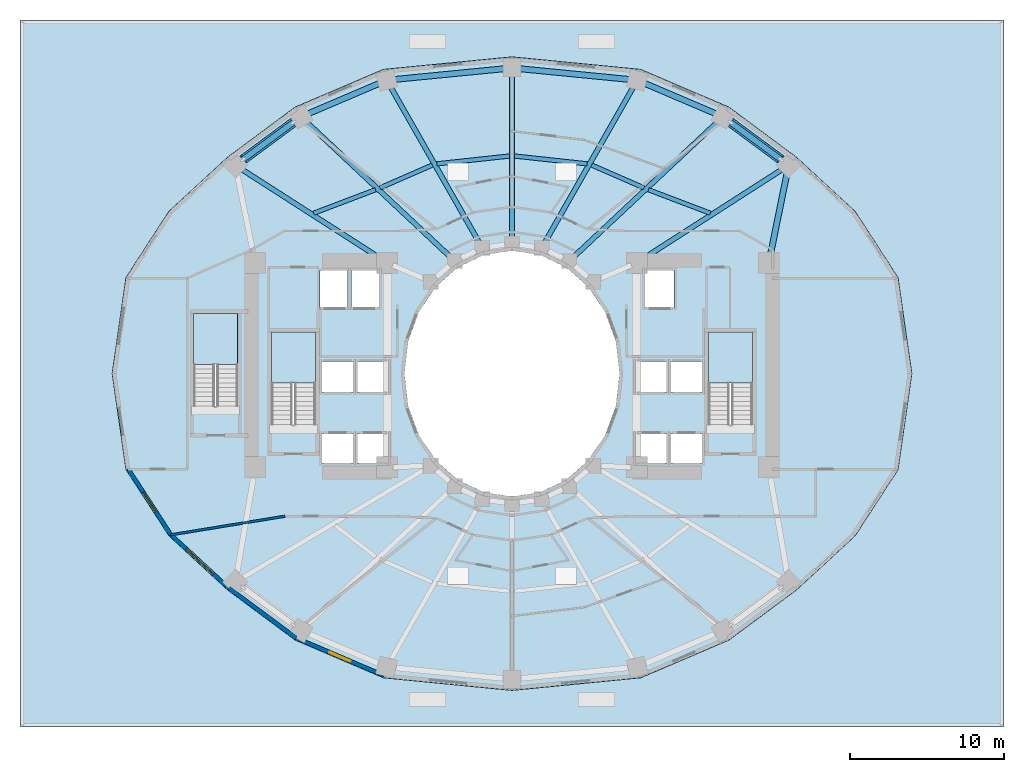
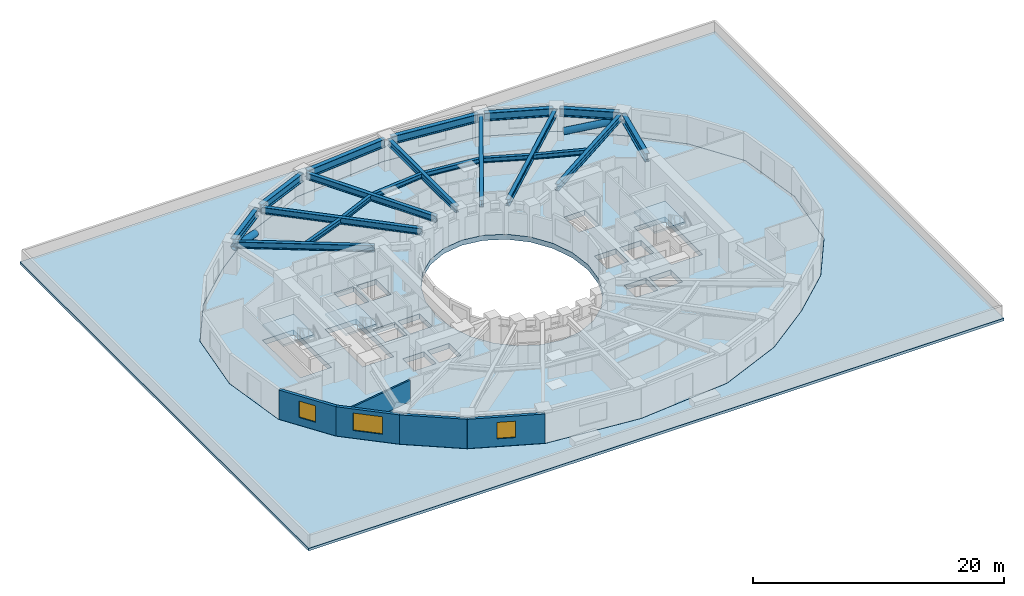
# One storey, part 2 of 10: 20 beams, 5 slabs, 5 walls, 3 windows, 2 members, 3 openings, 3 elements without a shape of their own.
"""IFC4 building model written with IfcOpenShell, lengths in metres."""

from ifc_helpers import new_model, si_unit, direction, frame, frame_2d, origin, origin_2d, place, context, subcontext, project, spatial, polyline, rectangle, hollow_circle, i_section, outline, extrude, material, layer, layer_set, material_profile, profile_set, type_object, element, fill, aggregate, save


model = new_model("IFC4")

# Units and contexts
model_context = context("Model", 3, precision=1e-05, world=origin(), true_north=direction((0.0, 1.0)))
body_context = subcontext(model_context, "Body", "Model", "MODEL_VIEW")
ifc_project = project(units=[si_unit("LENGTHUNIT", "METRE"), si_unit("AREAUNIT", "SQUARE_METRE"), si_unit("VOLUMEUNIT", "CUBIC_METRE"), si_unit("PLANEANGLEUNIT", "RADIAN"), si_unit("MASSUNIT", "GRAM", prefix="KILO")], contexts=[model_context])

# Site, building, storey
site_placement = place(None, origin())
site = spatial("IfcSite", under=ifc_project, at=site_placement, CompositionType="ELEMENT")
building_placement = place(site_placement, origin())
building = spatial("IfcBuilding", under=site, at=building_placement, Name="Solvane Sanctuary Tower", CompositionType="ELEMENT")
storey_placement = place(building_placement, frame((0.0, 0.0, 27.60009765625)))
storey = spatial("IfcBuildingStorey", under=building, at=storey_placement, Name="L07", CompositionType="ELEMENT", Elevation=27.60009765625)

# Beams
ifc_material_1 = material(Name="Steel ASTM A992 Grade 50", Category="steel")
ifc_material_profile_1 = material_profile(ifc_material_1, i_section(OverallWidth=0.323974609375, OverallDepth=0.611083984375, WebThickness=0.0126953125, FlangeThickness=0.01904296875, FilletRadius=0.01611328125, at=origin_2d()), Name="W24X104")
ifc_profile_set_1 = profile_set([ifc_material_profile_1], Name="Steel ASTM A992 Grade 50")
beam_type_1 = type_object("IfcBeamType", Name="Beam B-RAD-Z1 W24X104", PredefinedType="BEAM", material=ifc_profile_set_1)
beam_1_placement = place(storey_placement, frame((40.40283203125, 30.39453125, 2.572509765625), z_axis=(0.841383207998, 0.540438985733, 0.0), x_axis=(-0.540438985733, 0.841383207998, 0.0)))
element("IfcBeam", 1, at=beam_1_placement, inside=storey, type_object=beam_type_1, Name="L07 Radial Composite Floor Beam 01", PredefinedType="BEAM", context=body_context, shape_type="SweptSolid", body=[
    extrude(i_section(OverallWidth=0.323974609375, OverallDepth=0.611083984375, WebThickness=0.0126953125, FlangeThickness=0.01904296875, FilletRadius=0.01611328125, at=origin_2d()), origin(), (0.0, 0.0, 1.0), 11.116455078125),
])
beam_2_placement = place(storey_placement, frame((35.93408203125, 30.518310546875, 2.572509765625), z_axis=(0.729363446859, 0.68412642281, 0.0), x_axis=(-0.68412642281, 0.729363446859, 0.0)))
element("IfcBeam", 2, at=beam_2_placement, inside=storey, type_object=beam_type_1, Name="L07 Radial Composite Floor Beam 02", PredefinedType="BEAM", context=body_context, shape_type="SweptSolid", body=[
    extrude(i_section(OverallWidth=0.323974609375, OverallDepth=0.611083984375, WebThickness=0.0126953125, FlangeThickness=0.01904296875, FilletRadius=0.01611328125, at=origin_2d()), origin(), (0.0, 0.0, 1.0), 13.14697265625),
])
beam_3_placement = place(storey_placement, frame((34.0693359375, 31.4150390625, 2.572509765625), z_axis=(0.494862949167, 0.868971036078, 0.0), x_axis=(-0.868971036078, 0.494862949167, 0.0)))
element("IfcBeam", 3, at=beam_3_placement, inside=storey, type_object=beam_type_1, Name="L07 Radial Composite Floor Beam 03", PredefinedType="BEAM", context=body_context, shape_type="SweptSolid", body=[
    extrude(i_section(OverallWidth=0.323974609375, OverallDepth=0.611083984375, WebThickness=0.0126953125, FlangeThickness=0.01904296875, FilletRadius=0.01611328125, at=origin_2d()), origin(), (0.0, 0.0, 1.0), 11.997314453125),
])
beam_4_placement = place(storey_placement, frame((32.0, 31.739990234375, 2.572509765625), z_axis=(0.0, 1.0, 0.0), x_axis=(-1.0, 0.0, 0.0)))
element("IfcBeam", 4, at=beam_4_placement, inside=storey, type_object=beam_type_1, Name="L07 Radial Composite Floor Beam 04", PredefinedType="BEAM", context=body_context, shape_type="SweptSolid", body=[
    extrude(i_section(OverallWidth=0.323974609375, OverallDepth=0.611083984375, WebThickness=0.0126953125, FlangeThickness=0.01904296875, FilletRadius=0.01611328125, at=origin_2d()), origin(), (0.0, 0.0, 1.0), 10.860107421875),
])
beam_5_placement = place(storey_placement, frame((29.9306640625, 31.4150390625, 2.572509765625), z_axis=(-0.494862949167, 0.868971036078, 0.0), x_axis=(-0.868971036078, -0.494862949167, 0.0)))
element("IfcBeam", 5, at=beam_5_placement, inside=storey, type_object=beam_type_1, Name="L07 Radial Composite Floor Beam 05", PredefinedType="BEAM", context=body_context, shape_type="SweptSolid", body=[
    extrude(i_section(OverallWidth=0.323974609375, OverallDepth=0.611083984375, WebThickness=0.0126953125, FlangeThickness=0.01904296875, FilletRadius=0.01611328125, at=origin_2d()), origin(), (0.0, 0.0, 1.0), 11.997314453125),
])
beam_6_placement = place(storey_placement, frame((28.06591796875, 30.518310546875, 2.572509765625), z_axis=(-0.729363446859, 0.68412642281, 0.0), x_axis=(-0.68412642281, -0.729363446859, 0.0)))
element("IfcBeam", 6, at=beam_6_placement, inside=storey, type_object=beam_type_1, Name="L07 Radial Composite Floor Beam 06", PredefinedType="BEAM", context=body_context, shape_type="SweptSolid", body=[
    extrude(i_section(OverallWidth=0.323974609375, OverallDepth=0.611083984375, WebThickness=0.0126953125, FlangeThickness=0.01904296875, FilletRadius=0.01611328125, at=origin_2d()), origin(), (0.0, 0.0, 1.0), 13.14697265625),
])
beam_7_placement = place(storey_placement, frame((23.59716796875, 30.39453125, 2.572509765625), z_axis=(-0.841383207998, 0.540438985733, 0.0), x_axis=(-0.540438985733, -0.841383207998, 0.0)))
element("IfcBeam", 7, at=beam_7_placement, inside=storey, type_object=beam_type_1, Name="L07 Radial Composite Floor Beam 07", PredefinedType="BEAM", context=body_context, shape_type="SweptSolid", body=[
    extrude(i_section(OverallWidth=0.323974609375, OverallDepth=0.611083984375, WebThickness=0.0126953125, FlangeThickness=0.01904296875, FilletRadius=0.01611328125, at=origin_2d()), origin(), (0.0, 0.0, 1.0), 11.116455078125),
])
ifc_material_profile_2 = material_profile(ifc_material_1, i_section(OverallWidth=0.280029296875, OverallDepth=0.462890625, WebThickness=0.0107421875, FlangeThickness=0.017333984375, FilletRadius=0.013916015625, at=origin_2d()), Name="W18X76")
ifc_profile_set_2 = profile_set([ifc_material_profile_2], Name="Steel ASTM A992 Grade 50")
beam_type_2 = type_object("IfcBeamType", Name="Beam B-SEC-JOIST W18X76", PredefinedType="JOIST", material=ifc_profile_set_2)
beam_8_placement = place(storey_placement, frame((19.100830078125, 33.4326171875, 2.646484375), z_axis=(0.934930049376, 0.354832076867, 0.0), x_axis=(-0.354832076867, 0.934930049376, 0.0)))
element("IfcBeam", 8, at=beam_8_placement, inside=storey, type_object=beam_type_2, Name="L07 Secondary Circumferential Joist 07-06", PredefinedType="JOIST", context=body_context, shape_type="SweptSolid", body=[
    extrude(i_section(OverallWidth=0.280029296875, OverallDepth=0.462890625, WebThickness=0.0107421875, FlangeThickness=0.017333984375, FilletRadius=0.013916015625, at=origin_2d()), origin(), (0.0, 0.0, 1.0), 4.3037109375),
])
beam_9_placement = place(storey_placement, frame((23.415283203125, 35.078125, 2.646484375), z_axis=(0.916382007922, 0.400304903238, 0.0), x_axis=(-0.400304903238, 0.916382007922, 0.0)))
element("IfcBeam", 9, at=beam_9_placement, inside=storey, type_object=beam_type_2, Name="L07 Secondary Circumferential Joist 06-05", PredefinedType="JOIST", context=body_context, shape_type="SweptSolid", body=[
    extrude(i_section(OverallWidth=0.280029296875, OverallDepth=0.462890625, WebThickness=0.0107421875, FlangeThickness=0.017333984375, FilletRadius=0.013916015625, at=origin_2d()), origin(), (0.0, 0.0, 1.0), 3.713623046875),
])
for number, where, z_axis, x_axis, name in (
    (10, (27.118408203125, 36.64453125, 2.646484375), (0.994253832067, 0.107048201386, 0.0), (-0.107048201386, 0.994253832067, 0.0), "L07 Secondary Circumferential Joist 05-04"),
    (11, (32.156005859375, 37.1533203125, 2.646484375), (0.994253832067, -0.107048201386, 0.0), (0.107048201386, 0.994253832067, 0.0), "L07 Secondary Circumferential Joist 04-03"),
):
    element("IfcBeam", number, at=place(storey_placement, frame(where, z_axis=z_axis, x_axis=x_axis)), inside=storey, type_object=beam_type_2, Name=name, PredefinedType="JOIST", context=body_context, shape_type="SweptSolid", body=[
        extrude(i_section(OverallWidth=0.280029296875, OverallDepth=0.462890625, WebThickness=0.0107421875, FlangeThickness=0.017333984375, FilletRadius=0.013916015625, at=origin_2d()), origin(), (0.0, 0.0, 1.0), 4.7529296875),
    ])
beam_10_placement = place(storey_placement, frame((37.181640625, 36.564697265625, 2.646484375), z_axis=(0.916382007922, -0.400304903238, 0.0), x_axis=(0.400304903238, 0.916382007922, 0.0)))
element("IfcBeam", 12, at=beam_10_placement, inside=storey, type_object=beam_type_2, Name="L07 Secondary Circumferential Joist 03-02", PredefinedType="JOIST", context=body_context, shape_type="SweptSolid", body=[
    extrude(i_section(OverallWidth=0.280029296875, OverallDepth=0.462890625, WebThickness=0.0107421875, FlangeThickness=0.017333984375, FilletRadius=0.013916015625, at=origin_2d()), origin(), (0.0, 0.0, 1.0), 3.713623046875),
])
beam_11_placement = place(storey_placement, frame((40.87548828125, 34.959716796875, 2.646484375), z_axis=(0.934930049376, -0.354832076867, 0.0), x_axis=(0.354832076867, 0.934930049376, 0.0)))
element("IfcBeam", 13, at=beam_11_placement, inside=storey, type_object=beam_type_2, Name="L07 Secondary Circumferential Joist 02-01", PredefinedType="JOIST", context=body_context, shape_type="SweptSolid", body=[
    extrude(i_section(OverallWidth=0.280029296875, OverallDepth=0.462890625, WebThickness=0.0107421875, FlangeThickness=0.017333984375, FilletRadius=0.013916015625, at=origin_2d()), origin(), (0.0, 0.0, 1.0), 4.3037109375),
])
ifc_material_profile_3 = material_profile(ifc_material_1, i_section(OverallWidth=0.382080078125, OverallDepth=0.779052734375, WebThickness=0.01806640625, FlangeThickness=0.030029296875, FilletRadius=0.02001953125, at=origin_2d()), Name="W30X191")
ifc_profile_set_3 = profile_set([ifc_material_profile_3], Name="Steel ASTM A992 Grade 50")
beam_type_3 = type_object("IfcBeamType", Name="Beam B-SPAND-Z1 W30X191", PredefinedType="SPANDREL", material=ifc_profile_set_3)
beam_12_placement = place(storey_placement, frame((14.2333984375, 36.719970703125, 2.48828125), z_axis=(0.804334467125, 0.594176796076, 0.0), x_axis=(-0.594176796076, 0.804334467125, 0.0)))
element("IfcBeam", 14, at=beam_12_placement, inside=storey, type_object=beam_type_3, Name="L07 Perimeter Spandrel Beam TC07-TC06", PredefinedType="SPANDREL", context=body_context, shape_type="SweptSolid", body=[
    extrude(i_section(OverallWidth=0.382080078125, OverallDepth=0.779052734375, WebThickness=0.01806640625, FlangeThickness=0.030029296875, FilletRadius=0.02001953125, at=origin_2d()), origin(), (0.0, 0.0, 1.0), 4.7421875),
])
beam_13_placement = place(storey_placement, frame((18.530517578125, 39.81396484375, 2.48828125), z_axis=(0.919906751835, 0.392137179988, 0.0), x_axis=(-0.392137179988, 0.919906751835, 0.0)))
element("IfcBeam", 15, at=beam_13_placement, inside=storey, type_object=beam_type_3, Name="L07 Perimeter Spandrel Beam TC06-TC05", PredefinedType="SPANDREL", context=body_context, shape_type="SweptSolid", body=[
    extrude(i_section(OverallWidth=0.382080078125, OverallDepth=0.779052734375, WebThickness=0.01806640625, FlangeThickness=0.030029296875, FilletRadius=0.02001953125, at=origin_2d()), origin(), (0.0, 0.0, 1.0), 5.508056640625),
])
for number, where, z_axis, x_axis, name in (
    (16, (24.1337890625, 42.11083984375, 2.48828125), (0.995252945064, 0.097322018793, 0.0), (-0.097322018793, 0.995252945064, 0.0), "L07 Perimeter Spandrel Beam TC05-TC04"),
    (17, (32.27880859375, 42.852783203125, 2.48828125), (0.995252945064, -0.097322018793, 0.0), (0.097322018793, 0.995252945064, 0.0), "L07 Perimeter Spandrel Beam TC04-TC03"),
):
    element("IfcBeam", number, at=place(storey_placement, frame(where, z_axis=z_axis, x_axis=x_axis)), inside=storey, type_object=beam_type_3, Name=name, PredefinedType="SPANDREL", context=body_context, shape_type="SweptSolid", body=[
        extrude(i_section(OverallWidth=0.382080078125, OverallDepth=0.779052734375, WebThickness=0.01806640625, FlangeThickness=0.030029296875, FilletRadius=0.02001953125, at=origin_2d()), origin(), (0.0, 0.0, 1.0), 7.62353515625),
    ])
beam_14_placement = place(storey_placement, frame((40.402587890625, 41.973876953125, 2.48828125), z_axis=(0.919906751835, -0.392137179988, 0.0), x_axis=(0.392137179988, 0.919906751835, 0.0)))
element("IfcBeam", 18, at=beam_14_placement, inside=storey, type_object=beam_type_3, Name="L07 Perimeter Spandrel Beam TC03-TC02", PredefinedType="SPANDREL", context=body_context, shape_type="SweptSolid", body=[
    extrude(i_section(OverallWidth=0.382080078125, OverallDepth=0.779052734375, WebThickness=0.01806640625, FlangeThickness=0.030029296875, FilletRadius=0.02001953125, at=origin_2d()), origin(), (0.0, 0.0, 1.0), 5.508056640625),
])
beam_15_placement = place(storey_placement, frame((45.952392578125, 39.53759765625, 2.48828125), z_axis=(0.804334467125, -0.594176796076, 0.0), x_axis=(0.594176796076, 0.804334467125, 0.0)))
element("IfcBeam", 19, at=beam_15_placement, inside=storey, type_object=beam_type_3, Name="L07 Perimeter Spandrel Beam TC02-TC01", PredefinedType="SPANDREL", context=body_context, shape_type="SweptSolid", body=[
    extrude(i_section(OverallWidth=0.382080078125, OverallDepth=0.779052734375, WebThickness=0.01806640625, FlangeThickness=0.030029296875, FilletRadius=0.02001953125, at=origin_2d()), origin(), (0.0, 0.0, 1.0), 4.7421875),
])
beam_16_placement = place(storey_placement, frame((49.935791015625, 36.279296875, 2.48828125), z_axis=(-0.199190417877, -0.979960804025, 0.0), x_axis=(0.979960804025, -0.199190417877, 0.0)))
element("IfcBeam", 20, at=beam_16_placement, inside=storey, type_object=beam_type_3, Name="L07 Perimeter Spandrel Beam TC01-CE3", PredefinedType="SPANDREL", context=body_context, shape_type="SweptSolid", body=[
    extrude(i_section(OverallWidth=0.382080078125, OverallDepth=0.779052734375, WebThickness=0.01806640625, FlangeThickness=0.030029296875, FilletRadius=0.02001953125, at=origin_2d()), origin(), (0.0, 0.0, 1.0), 5.923583984375),
])

# Members
ifc_material_profile_4 = material_profile(ifc_material_1, hollow_circle(Radius=0.304931640625, WallThickness=0.01611328125, at=origin_2d()), Name="CHS610X16")
ifc_profile_set_4 = profile_set([ifc_material_profile_4], Name="Steel ASTM A992 Grade 50")
member_type = type_object("IfcMemberType", Name="Member M-TUBE-Z1 CHS610X16", PredefinedType="BRACE", material=ifc_profile_set_4)
for number, where, z_axis, x_axis, name in (
    (21, (46.220458984375, 39.339599609375, 0.578857421875), (0.765137923591, -0.565199520065, 0.308404702302), (0.594161791503, 0.804345551065, 0.0), "L07 Perimeter Braced-Tube Diagonal NE"),
    (22, (17.779541015625, 39.339599609375, 0.578857421875), (-0.765137923591, -0.565199520065, 0.308404702302), (0.594161791503, -0.804345551065, 0.0), "L07 Perimeter Braced-Tube Diagonal NW"),
):
    element("IfcMember", number, at=place(storey_placement, frame(where, z_axis=z_axis, x_axis=x_axis)), inside=storey, type_object=member_type, Name=name, PredefinedType="BRACE", context=body_context, shape_type="SweptSolid", body=[
        extrude(hollow_circle(Radius=0.304931640625, WallThickness=0.01611328125, at=origin_2d()), origin(), (0.0, 0.0, 1.0), 4.281005859375),
    ])

# Stair, slab
ifc_material_2 = material(Name="Concrete C45/55", Category="concrete")
stair_type = type_object("IfcStairType", Name="Stair ST-TOW", PredefinedType="HALF_TURN_STAIR", material=ifc_material_2)
stair_1_placement = place(storey_placement, origin())
stair_1 = element("IfcStair", 23, at=stair_1_placement, inside=storey, type_object=stair_type, Name="L07 Exit Stair ST-1 West Core", PredefinedType="HALF_TURN_STAIR")
ifc_layer_1 = layer(ifc_material_2, 0.199951171875, Name="Concrete C45/55")
ifc_layer_set_1 = layer_set([ifc_layer_1], Name="Concrete C45/55")
slab_type_1 = type_object("IfcSlabType", Name="Slab SL-LAND-180", PredefinedType="LANDING", material=ifc_layer_set_1)
slab_1_placement = place(storey_placement, frame((0.0, 0.0, 1.349853515625)))
slab_1 = element("IfcSlab", 24, at=slab_1_placement, type_object=slab_type_1, Name="ST-1 landing 1", PredefinedType="LANDING", context=body_context, shape_type="SweptSolid", body=[
    extrude(outline(polyline([(19.219970703125, 22.39990234375), (19.219970703125, 25.699951171875), (16.360107421875, 25.699951171875), (16.360107421875, 22.39990234375), (19.219970703125, 22.39990234375)])), origin(), (0.0, 0.0, 1.0), 0.199951171875),
])
aggregate(stair_1, [slab_1])

stair_2_placement = place(storey_placement, origin())
stair_2 = element("IfcStair", 25, at=stair_2_placement, inside=storey, type_object=stair_type, Name="L07 Exit Stair ST-2 East Core", PredefinedType="HALF_TURN_STAIR")
slab_2_placement = place(storey_placement, frame((0.0, 0.0, 1.349853515625)))
slab_2 = element("IfcSlab", 26, at=slab_2_placement, type_object=slab_type_1, Name="ST-2 landing 1", PredefinedType="LANDING", context=body_context, shape_type="SweptSolid", body=[
    extrude(outline(polyline([(47.639892578125, 22.39990234375), (47.639892578125, 25.699951171875), (44.780029296875, 25.699951171875), (44.780029296875, 22.39990234375), (47.639892578125, 22.39990234375)])), origin(), (0.0, 0.0, 1.0), 0.199951171875),
])
aggregate(stair_2, [slab_2])

stair_3_placement = place(storey_placement, origin())
stair_3 = element("IfcStair", 27, at=stair_3_placement, inside=storey, type_object=stair_type, Name="L07 Exit Stair ST-3 Pilgrim Tower Stair", PredefinedType="HALF_TURN_STAIR")
slab_3_placement = place(storey_placement, frame((0.0, 0.0, 1.349853515625)))
slab_3 = element("IfcSlab", 28, at=slab_3_placement, type_object=slab_type_1, Name="ST-3 landing 1", PredefinedType="LANDING", context=body_context, shape_type="SweptSolid", body=[
    extrude(outline(polyline([(14.159912109375, 23.60009765625), (14.159912109375, 26.89990234375), (11.300048828125, 26.89990234375), (11.300048828125, 23.60009765625), (14.159912109375, 23.60009765625)])), origin(), (0.0, 0.0, 1.0), 0.199951171875),
])
aggregate(stair_3, [slab_3])

# Slabs
ifc_material_3 = material(Name="Precast concrete C40/50", Category="concrete")
ifc_layer_2 = layer(ifc_material_3, 0.25, Name="Precast concrete C40/50")
ifc_layer_set_2 = layer_set([ifc_layer_2], Name="Precast concrete C40/50")
slab_type_2 = type_object("IfcSlabType", Name="Slab SL-TERR-250", PredefinedType="FLOOR", material=ifc_layer_set_2)
slab_4_placement = place(storey_placement, frame((0.0, 0.0, -0.25)))
element("IfcSlab", 29, at=slab_4_placement, inside=storey, type_object=slab_type_2, Name="L07 Planted Podium Sky-Garden Roof Terrace Slab", PredefinedType="FLOOR", context=body_context, shape_type="SweptSolid", body=[
    extrude(outline(polyline([(0.0, 0.0), (64.0, 0.0), (64.0, 46.0), (0.0, 46.0), (0.0, 0.0)]), holes=[polyline([(58.00390625, 22.99951171875), (57.105712890625, 16.7490234375), (57.105712890625, 16.74853515625), (57.10546875, 16.748291015625), (57.105224609375, 16.747802734375), (57.10498046875, 16.747314453125), (54.3173828125, 12.446044921875), (54.317138671875, 12.44580078125), (54.31689453125, 12.445556640625), (54.316650390625, 12.4453125), (50.5068359375, 8.930908203125), (50.506591796875, 8.9306640625), (46.12060546875, 5.6748046875), (46.1201171875, 5.674560546875), (46.11962890625, 5.67431640625), (40.37841796875, 3.21728515625), (40.3779296875, 3.21728515625), (40.377685546875, 3.21728515625), (40.377197265625, 3.217041015625), (32.00048828125, 2.39599609375), (32.0, 2.39599609375), (31.99951171875, 2.39599609375), (23.622802734375, 3.217041015625), (23.622314453125, 3.21728515625), (23.6220703125, 3.21728515625), (23.62158203125, 3.21728515625), (17.88037109375, 5.67431640625), (17.8798828125, 5.674560546875), (17.87939453125, 5.6748046875), (13.493408203125, 8.9306640625), (13.4931640625, 8.930908203125), (9.683349609375, 12.4453125), (9.68310546875, 12.445556640625), (9.682861328125, 12.44580078125), (9.6826171875, 12.446044921875), (6.89501953125, 16.747314453125), (6.894775390625, 16.747802734375), (6.89453125, 16.748291015625), (6.894287109375, 16.74853515625), (6.894287109375, 16.7490234375), (5.99609375, 22.99951171875), (5.99609375, 22.999755859375), (5.99609375, 23.000244140625), (5.99609375, 23.00048828125), (6.894287109375, 29.2509765625), (6.894287109375, 29.25146484375), (6.89453125, 29.251708984375), (6.894775390625, 29.252197265625), (6.89501953125, 29.252685546875), (9.6826171875, 33.553955078125), (9.682861328125, 33.55419921875), (9.68310546875, 33.554443359375), (9.683349609375, 33.5546875), (13.4931640625, 37.069091796875), (13.493408203125, 37.0693359375), (17.87939453125, 40.3251953125), (17.8798828125, 40.325439453125), (17.88037109375, 40.32568359375), (23.62158203125, 42.78271484375), (23.6220703125, 42.78271484375), (23.622314453125, 42.78271484375), (23.622802734375, 42.782958984375), (31.99951171875, 43.60400390625), (32.0, 43.60400390625), (32.00048828125, 43.60400390625), (40.377197265625, 42.782958984375), (40.377685546875, 42.78271484375), (40.3779296875, 42.78271484375), (40.37841796875, 42.78271484375), (46.11962890625, 40.32568359375), (46.1201171875, 40.325439453125), (46.12060546875, 40.3251953125), (50.506591796875, 37.0693359375), (50.5068359375, 37.069091796875), (54.316650390625, 33.5546875), (54.31689453125, 33.554443359375), (54.317138671875, 33.55419921875), (54.3173828125, 33.553955078125), (57.10498046875, 29.252685546875), (57.105224609375, 29.252197265625), (57.10546875, 29.251708984375), (57.105712890625, 29.25146484375), (57.105712890625, 29.2509765625), (58.00390625, 23.00048828125), (58.00390625, 23.000244140625), (58.00390625, 22.999755859375), (58.00390625, 22.99951171875)])]), origin(), (0.0, 0.0, 1.0), 0.25),
])
ifc_material_4 = material(Name="Concrete C60/75", Category="concrete")
ifc_layer_3 = layer(ifc_material_4, 0.5, Name="Concrete C60/75")
ifc_layer_set_3 = layer_set([ifc_layer_3], Name="Concrete C60/75")
slab_type_3 = type_object("IfcSlabType", Name="Slab SL-XFER-500", PredefinedType="FLOOR", material=ifc_layer_set_3)
slab_5_placement = place(storey_placement, frame((0.0, 0.0, -0.5)))
element("IfcSlab", 30, at=slab_5_placement, inside=storey, type_object=slab_type_3, Name="L07 Primary Structural Slab", PredefinedType="FLOOR", context=body_context, shape_type="SweptSolid", body=[
    extrude(outline(polyline([(58.0, 23.0), (57.101806640625, 29.25048828125), (54.31396484375, 33.5517578125), (50.504150390625, 37.066162109375), (46.1181640625, 40.322021484375), (40.376708984375, 42.77880859375), (32.0, 43.60009765625), (23.623291015625, 42.77880859375), (17.8818359375, 40.322021484375), (13.495849609375, 37.066162109375), (9.68603515625, 33.5517578125), (6.898193359375, 29.25048828125), (6.0, 23.0), (6.898193359375, 16.74951171875), (9.68603515625, 12.4482421875), (13.495849609375, 8.933837890625), (17.8818359375, 5.677978515625), (23.623291015625, 3.22119140625), (32.0, 2.39990234375), (40.376708984375, 3.22119140625), (46.1181640625, 5.677978515625), (50.504150390625, 8.933837890625), (54.31396484375, 12.4482421875), (57.101806640625, 16.74951171875), (58.0, 23.0)]), holes=[polyline([(38.761474609375, 20.929443359375), (38.062255859375, 19.0), (36.94970703125, 17.343017578125), (35.5, 16.07177734375), (33.811767578125, 15.272705078125), (32.0, 15.0), (30.188232421875, 15.272705078125), (28.5, 16.07177734375), (27.05029296875, 17.343017578125), (25.937744140625, 19.0), (25.238525390625, 20.929443359375), (25.0, 23.0), (25.238525390625, 25.070556640625), (25.937744140625, 27.0), (27.05029296875, 28.656982421875), (28.5, 29.92822265625), (30.188232421875, 30.727294921875), (32.0, 31.0), (33.811767578125, 30.727294921875), (35.5, 29.92822265625), (36.94970703125, 28.656982421875), (38.062255859375, 27.0), (38.761474609375, 25.070556640625), (39.0, 23.0), (38.761474609375, 20.929443359375)]), polyline([(16.360107421875, 19.699951171875), (16.360107421875, 25.699951171875), (19.219970703125, 25.699951171875), (19.219970703125, 19.699951171875), (16.360107421875, 19.699951171875)]), polyline([(44.780029296875, 19.699951171875), (44.780029296875, 25.699951171875), (47.639892578125, 25.699951171875), (47.639892578125, 19.699951171875), (44.780029296875, 19.699951171875)]), polyline([(11.300048828125, 20.89990234375), (11.300048828125, 26.89990234375), (14.159912109375, 26.89990234375), (14.159912109375, 20.89990234375), (11.300048828125, 20.89990234375)]), polyline([(19.64990234375, 19.080078125), (21.64990234375, 19.080078125), (21.64990234375, 17.179931640625), (19.64990234375, 17.179931640625), (19.64990234375, 19.080078125)]), polyline([(21.949951171875, 19.080078125), (23.949951171875, 19.080078125), (23.949951171875, 17.179931640625), (21.949951171875, 17.179931640625), (21.949951171875, 19.080078125)]), polyline([(40.050048828125, 19.080078125), (42.050048828125, 19.080078125), (42.050048828125, 17.179931640625), (40.050048828125, 17.179931640625), (40.050048828125, 19.080078125)]), polyline([(42.35009765625, 19.080078125), (44.35009765625, 19.080078125), (44.35009765625, 17.179931640625), (42.35009765625, 17.179931640625), (42.35009765625, 19.080078125)]), polyline([(19.64990234375, 23.800048828125), (21.64990234375, 23.800048828125), (21.64990234375, 21.800048828125), (19.64990234375, 21.800048828125), (19.64990234375, 23.800048828125)]), polyline([(42.35009765625, 23.800048828125), (44.35009765625, 23.800048828125), (44.35009765625, 21.800048828125), (42.35009765625, 21.800048828125), (42.35009765625, 23.800048828125)]), polyline([(21.949951171875, 23.800048828125), (23.949951171875, 23.800048828125), (23.949951171875, 21.800048828125), (21.949951171875, 21.800048828125), (21.949951171875, 23.800048828125)]), polyline([(40.050048828125, 23.800048828125), (42.050048828125, 23.800048828125), (42.050048828125, 21.800048828125), (40.050048828125, 21.800048828125), (40.050048828125, 23.800048828125)]), polyline([(19.5, 29.699951171875), (21.300048828125, 29.699951171875), (21.300048828125, 27.300048828125), (19.5, 27.300048828125), (19.5, 29.699951171875)]), polyline([(21.550048828125, 29.699951171875), (23.35009765625, 29.699951171875), (23.35009765625, 27.300048828125), (21.550048828125, 27.300048828125), (21.550048828125, 29.699951171875)]), polyline([(40.64990234375, 29.699951171875), (42.550048828125, 29.699951171875), (42.550048828125, 27.300048828125), (40.64990234375, 27.300048828125), (40.64990234375, 29.699951171875)])]), origin(), (0.0, 0.0, 1.0), 0.5),
])

# Wall
ifc_material_5 = material(Name="Acoustic Gypsum Partition Board")
ifc_layer_4 = layer(ifc_material_5, 0.14990234375, Name="Acoustic Gypsum Partition Board")
ifc_layer_set_4 = layer_set([ifc_layer_4], Name="Acoustic Gypsum Partition Board")
wall_type_1 = type_object("IfcWallType", Name="Wall W-CORR-150", PredefinedType="PARTITIONING", material=ifc_layer_set_4)
wall_1_placement = place(storey_placement, frame((17.249267578125, 13.72802734375, 0.0), z_axis=(0.0, 0.0, 1.0), x_axis=(-0.98693078372, -0.161144742846, 0.0)))
element("IfcWall", 31, at=wall_1_placement, inside=storey, type_object=wall_type_1, Name="L07 SW Corner Wing Wall", PredefinedType="PARTITIONING", context=body_context, shape_type="SweptSolid", body=[
    extrude(rectangle(XDim=7.55712890625, YDim=0.14990234375, at=frame_2d((3.778564453125, 0.0))), origin(), (0.0, 0.0, 1.0), 2.06884765625),
])

# Wall, opening, window
ifc_layer_5 = layer(ifc_material_3, 0.260009765625, Name="Precast concrete C40/50")
ifc_layer_set_5 = layer_set([ifc_layer_5], Name="Precast concrete C40/50")
wall_type_2 = type_object("IfcWallType", Name="Wall W-EXT-250", PredefinedType="STANDARD", material=ifc_layer_set_5)
wall_2_placement = place(storey_placement, frame((7.033447265625, 16.794677734375, 0.0), z_axis=(0.0, 0.0, 1.0), x_axis=(0.544578722263, -0.838709732421, 0.0)))
wall_2 = element("IfcWall", 32, at=wall_2_placement, inside=storey, type_object=wall_type_2, Name="L07 Ceramic-Printed Facade Wall 13", PredefinedType="STANDARD", context=body_context, shape_type="SweptSolid", body=[
    extrude(rectangle(XDim=5.091552734375, YDim=0.260009765625, at=frame_2d((2.5458984375, 0.0))), origin(), (0.0, 0.0, 1.0), 2.849853515625),
])
opening_1_placement = place(wall_2_placement, frame((1.795654296875, 0.0, 0.75)))
opening_1 = element("IfcOpeningElement", 33, at=opening_1_placement, cuts=wall_2, Name="Opening WN-OPER-1500", PredefinedType="OPENING", context=body_context, shape_type="SweptSolid", body=[
    extrude(rectangle(XDim=1.5, YDim=1.60009765625, at=frame_2d((0.75, 0.800048828125))), frame((0.0, 0.139892578125, 0.0), z_axis=(0.0, -1.0, 0.0), x_axis=(1.0, 0.0, 0.0)), (0.0, 0.0, 1.0), 0.280029296875),
])
ifc_material_6 = material(Name="Dark Ceramic-Fritted Low-E Glass", Category="glass")
window_type_1 = type_object("IfcWindowType", Name="Window WN-OPER-1500", PartitioningType="SINGLE_PANEL", PredefinedType="WINDOW", material=ifc_material_6)
window_1_placement = place(opening_1_placement, origin())
window_1 = element("IfcWindow", 34, at=window_1_placement, inside=storey, type_object=window_type_1, Name="L07 Operable Facade Window 13", OverallHeight=1.60009765625, OverallWidth=1.5, PartitioningType="SINGLE_PANEL", PredefinedType="WINDOW", context=body_context, shape_type="SweptSolid", body=[
    extrude(rectangle(XDim=1.5, YDim=1.60009765625, at=frame_2d((0.75, 0.800048828125))), frame((0.0, 0.030029296875, 0.0), z_axis=(0.0, -1.0, 0.0), x_axis=(1.0, 0.0, 0.0)), (0.0, 0.0, 1.0), 0.06005859375),
])
fill(opening_1, window_1)

wall_3_placement = place(storey_placement, frame((9.80615234375, 12.5244140625, 0.0), z_axis=(0.0, 0.0, 1.0), x_axis=(0.735655109293, -0.67735630223, 0.0)))
wall_3 = element("IfcWall", 35, at=wall_3_placement, inside=storey, type_object=wall_type_2, Name="L07 Ceramic-Printed Facade Wall 14", PredefinedType="STANDARD", context=body_context, shape_type="SweptSolid", body=[
    extrude(rectangle(XDim=5.15087890625, YDim=0.260009765625, at=frame_2d((2.575439453125, 0.0))), origin(), (0.0, 0.0, 1.0), 2.849853515625),
])
opening_2_placement = place(wall_3_placement, frame((1.37548828125, 0.0, 0.75)))
opening_2 = element("IfcOpeningElement", 36, at=opening_2_placement, cuts=wall_3, Name="Opening WN-RIB-2400", PredefinedType="OPENING", context=body_context, shape_type="SweptSolid", body=[
    extrude(rectangle(XDim=2.39990234375, YDim=1.699951171875, at=frame_2d((1.199951171875, 0.85009765625))), frame((0.0, 0.139892578125, 0.0), z_axis=(0.0, -1.0, 0.0), x_axis=(1.0, 0.0, 0.0)), (0.0, 0.0, 1.0), 0.280029296875),
])
window_type_2 = type_object("IfcWindowType", Name="Window WN-RIB-2400", PartitioningType="SINGLE_PANEL", PredefinedType="WINDOW", material=ifc_material_6)
window_2_placement = place(opening_2_placement, origin())
window_2 = element("IfcWindow", 37, at=window_2_placement, inside=storey, type_object=window_type_2, Name="L07 Operable Facade Window 14", OverallHeight=1.699951171875, OverallWidth=2.39990234375, PartitioningType="SINGLE_PANEL", PredefinedType="WINDOW", context=body_context, shape_type="SweptSolid", body=[
    extrude(rectangle(XDim=2.39990234375, YDim=1.699951171875, at=frame_2d((1.199951171875, 0.85009765625))), frame((0.0, 0.030029296875, 0.0), z_axis=(0.0, -1.0, 0.0), x_axis=(1.0, 0.0, 0.0)), (0.0, 0.0, 1.0), 0.06005859375),
])
fill(opening_2, window_2)

# Wall
wall_4_placement = place(storey_placement, frame((13.595458984375, 9.035400390625, 0.0), z_axis=(0.0, 0.0, 1.0), x_axis=(0.803477531792, -0.595335078679, 0.0)))
element("IfcWall", 38, at=wall_4_placement, inside=storey, type_object=wall_type_2, Name="L07 Ceramic-Printed Facade Wall 15", PredefinedType="STANDARD", context=body_context, shape_type="SweptSolid", body=[
    extrude(rectangle(XDim=5.4296875, YDim=0.260009765625, at=frame_2d((2.71484375, 0.0))), origin(), (0.0, 0.0, 1.0), 2.849853515625),
])

# Wall, opening, window
wall_5_placement = place(storey_placement, frame((17.9580078125, 5.802978515625, 0.0), z_axis=(0.0, 0.0, 1.0), x_axis=(0.919612132394, -0.39282760335, 0.0)))
wall_5 = element("IfcWall", 39, at=wall_5_placement, inside=storey, type_object=wall_type_2, Name="L07 Ceramic-Printed Facade Wall 16", PredefinedType="STANDARD", context=body_context, shape_type="SweptSolid", body=[
    extrude(rectangle(XDim=6.20947265625, YDim=0.260009765625, at=frame_2d((3.104736328125, 0.0))), origin(), (0.0, 0.0, 1.0), 2.849853515625),
])
opening_3_placement = place(wall_5_placement, frame((2.354736328125, 0.0, 0.75)))
opening_3 = element("IfcOpeningElement", 40, at=opening_3_placement, cuts=wall_5, Name="Opening WN-OPER-1500", PredefinedType="OPENING", context=body_context, shape_type="SweptSolid", body=[
    extrude(rectangle(XDim=1.5, YDim=1.60009765625, at=frame_2d((0.75, 0.800048828125))), frame((0.0, 0.139892578125, 0.0), z_axis=(0.0, -1.0, 0.0), x_axis=(1.0, 0.0, 0.0)), (0.0, 0.0, 1.0), 0.280029296875),
])
window_3_placement = place(opening_3_placement, origin())
window_3 = element("IfcWindow", 41, at=window_3_placement, inside=storey, type_object=window_type_1, Name="L07 Operable Facade Window 16", OverallHeight=1.60009765625, OverallWidth=1.5, PartitioningType="SINGLE_PANEL", PredefinedType="WINDOW", context=body_context, shape_type="SweptSolid", body=[
    extrude(rectangle(XDim=1.5, YDim=1.60009765625, at=frame_2d((0.75, 0.800048828125))), frame((0.0, 0.030029296875, 0.0), z_axis=(0.0, -1.0, 0.0), x_axis=(1.0, 0.0, 0.0)), (0.0, 0.0, 1.0), 0.06005859375),
])
fill(opening_3, window_3)

save(model, "model.ifc")
